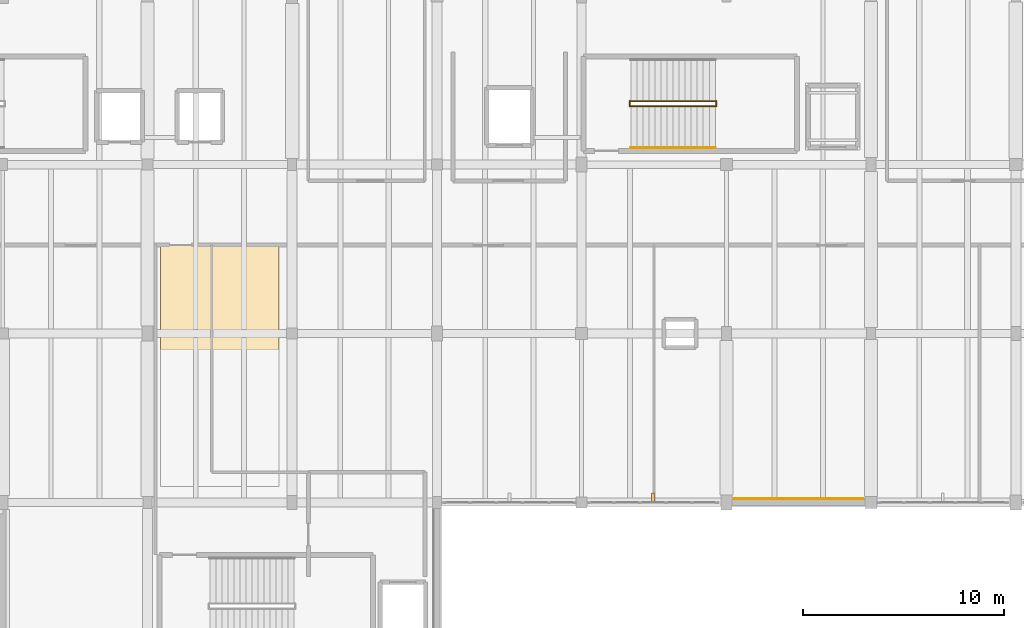
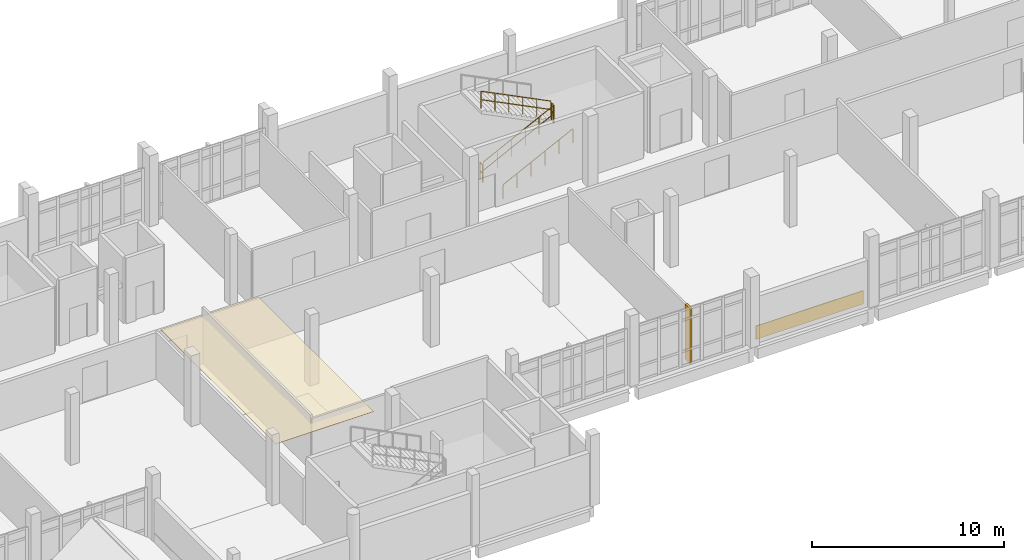
# One storey, part 39 of 41: 5 railings, 2 coverings, 1 shading device.
"""IFC4 building model written with IfcOpenShell, lengths in metres."""

from ifc_helpers import new_model, si_unit, direction, frame, origin, origin_2d, place, context, subcontext, project, spatial, polyline, rectangle, circle, outline, extrude, material, layer, layer_set, type_object, element, save


model = new_model("IFC4")

# Units and contexts
model_context = context("Model", 3, precision=1e-05, world=origin(), true_north=direction((0.0, 1.0)))
body_context = subcontext(model_context, "Body", "Model", "MODEL_VIEW")
ifc_project = project(units=[si_unit("LENGTHUNIT", "METRE"), si_unit("AREAUNIT", "SQUARE_METRE"), si_unit("VOLUMEUNIT", "CUBIC_METRE"), si_unit("PLANEANGLEUNIT", "RADIAN"), si_unit("MASSUNIT", "GRAM", prefix="KILO")], contexts=[model_context])

# Site, building, storey
site_placement = place(None, origin())
site = spatial("IfcSite", under=ifc_project, at=site_placement, CompositionType="ELEMENT")
building_placement = place(site_placement, origin())
building = spatial("IfcBuilding", under=site, at=building_placement, Name="Kalluvel Institute of Natural Sciences", CompositionType="ELEMENT")
storey_placement = place(building_placement, frame((0.0, 0.0, 32.39990234375)))
storey = spatial("IfcBuildingStorey", under=building, at=storey_placement, Name="L07", CompositionType="ELEMENT", Elevation=32.39990234375)

# Coverings
ifc_material_1 = material(Name="Perforated Mineral-Fibre Acoustic Tile", Category="gypsum")
ifc_layer_1 = layer(ifc_material_1, 0.02490234375)
ifc_layer_set_1 = layer_set([ifc_layer_1], Name="Perforated Mineral-Fibre Acoustic Tile")
covering_type_1 = type_object("IfcCoveringType", Name="COV-CEIL-600", PredefinedType="CEILING", material=ifc_layer_set_1)
covering_1_placement = place(storey_placement, frame((0.0, 0.0, 2.9501953125)))
element("IfcCovering", 1, at=covering_1_placement, inside=storey, type_object=covering_type_1, Name="L07 laboratory acoustic ceiling panel 16", PredefinedType="CEILING", context=body_context, shape_type="SweptSolid", body=[
    extrude(outline(polyline([(43.449951171875, 103.60009765625), (49.35009765625, 103.60009765625), (49.35009765625, 115.60009765625), (43.449951171875, 115.60009765625), (43.449951171875, 103.60009765625)])), origin(), (0.0, 0.0, 1.0), 0.02490234375),
])
ifc_material_2 = material(Name="Sadarahalli Grey Granite Ashlar Concrete M40", Category="masonry")
ifc_layer_2 = layer(ifc_material_2, 0.044921875)
ifc_layer_set_2 = layer_set([ifc_layer_2], Name="Sadarahalli Grey Granite Ashlar Concrete M40")
covering_type_2 = type_object("IfcCoveringType", Name="COV-CLAD-STONE", PredefinedType="CLADDING", material=ifc_layer_set_2)
covering_2_placement = place(storey_placement, frame((75.1875, 102.969970703125, 0.025146484375), z_axis=(0.0, 0.0, 1.0), x_axis=(1.0, 0.0, 0.0)))
element("IfcCovering", 2, at=covering_2_placement, inside=storey, type_object=covering_type_2, Name="L07 Sadarahalli granite plinth spandrel cladding 91", PredefinedType="CLADDING", context=body_context, shape_type="SweptSolid", body=[
    extrude(rectangle(XDim=6.465087890625, YDim=0.044921875, at=origin_2d()), origin(), (0.0, 0.0, 1.0), 0.85009765625),
])

# Railings
ifc_material_3 = material(Name="Galvanized Fire-Rated Steel", Category="steel")
railing_type_1 = type_object("IfcRailingType", Name="RL-GD-STAIR", PredefinedType="BALUSTRADE", material=ifc_material_3)
railing_1_placement = place(storey_placement, frame((66.85009765625, 122.510009765625, 0.150146484375)))
element("IfcRailing", 3, at=railing_1_placement, inside=storey, type_object=railing_type_1, Name="L07 ST2 stair guard 1", PredefinedType="BALUSTRADE", context=body_context, shape_type="SweptSolid", body=[
    extrude(circle(Radius=0.02392578125, at=origin_2d()), frame((0.0, 0.0, 1.09619140625), z_axis=(0.894437589381, 0.0, 0.447192798132), x_axis=(0.0, 1.0, 0.0)), (0.0, 0.0, 1.0), 4.695556640625),
    extrude(circle(Radius=0.02392578125, at=origin_2d()), frame((0.0, 0.0, 0.56005859375), z_axis=(0.894437589381, 0.0, 0.447192798132), x_axis=(0.0, 1.0, 0.0)), (0.0, 0.0, 1.0), 4.695556640625),
    extrude(circle(Radius=0.02099609375, at=origin_2d()), origin(), (0.0, 0.0, 1.0), 1.072021484375),
    extrude(circle(Radius=0.02099609375, at=origin_2d()), frame((0.840087890625, 0.0, 0.419921875)), (0.0, 0.0, 1.0), 1.072021484375),
    extrude(circle(Radius=0.02099609375, at=origin_2d()), frame((1.679931640625, 0.0, 0.83984375)), (0.0, 0.0, 1.0), 1.072021484375),
    extrude(circle(Radius=0.02099609375, at=origin_2d()), frame((2.52001953125, 0.0, 1.260009765625)), (0.0, 0.0, 1.0), 1.072021484375),
    extrude(circle(Radius=0.02099609375, at=origin_2d()), frame((3.35986328125, 0.0, 1.679931640625)), (0.0, 0.0, 1.0), 1.072021484375),
    extrude(circle(Radius=0.02099609375, at=origin_2d()), frame((4.199951171875, 0.0, 2.099853515625)), (0.0, 0.0, 1.0), 1.072021484375),
])
railing_2_placement = place(storey_placement, frame((71.10009765625, 122.4951171875, 2.25)))
element("IfcRailing", 4, at=railing_2_placement, inside=storey, type_object=railing_type_1, Name="L07 ST2 stair guard 2", PredefinedType="BALUSTRADE", context=body_context, shape_type="SweptSolid", body=[
    extrude(circle(Radius=0.02392578125, at=origin_2d()), frame((0.0, 0.0, 1.09619140625), z_axis=(0.0, 1.0, 0.0), x_axis=(-1.0, 0.0, 0.0)), (0.0, 0.0, 1.0), 0.27978515625),
    extrude(circle(Radius=0.02392578125, at=origin_2d()), frame((0.0, 0.0, 0.56005859375), z_axis=(0.0, 1.0, 0.0), x_axis=(-1.0, 0.0, 0.0)), (0.0, 0.0, 1.0), 0.27978515625),
    extrude(circle(Radius=0.02099609375, at=origin_2d()), origin(), (0.0, 0.0, 1.0), 1.072021484375),
    extrude(circle(Radius=0.02099609375, at=origin_2d()), frame((0.0, 0.27978515625, 0.0)), (0.0, 0.0, 1.0), 1.072021484375),
])
railing_3_placement = place(storey_placement, frame((71.050048828125, 122.760009765625, 2.400146484375)))
element("IfcRailing", 5, at=railing_3_placement, inside=storey, type_object=railing_type_1, Name="L07 ST2 stair guard 3", PredefinedType="BALUSTRADE", context=body_context, shape_type="SweptSolid", body=[
    extrude(circle(Radius=0.02392578125, at=origin_2d()), frame((0.0, 0.0, 1.09619140625), z_axis=(-0.894437589381, 0.0, 0.447192798132), x_axis=(0.0, -1.0, 0.0)), (0.0, 0.0, 1.0), 4.695556640625),
    extrude(circle(Radius=0.02392578125, at=origin_2d()), frame((0.0, 0.0, 0.56005859375), z_axis=(-0.894437589381, 0.0, 0.447192798132), x_axis=(0.0, -1.0, 0.0)), (0.0, 0.0, 1.0), 4.695556640625),
    extrude(circle(Radius=0.02099609375, at=origin_2d()), origin(), (0.0, 0.0, 1.0), 1.072021484375),
    extrude(circle(Radius=0.02099609375, at=origin_2d()), frame((-0.840087890625, 0.0, 0.419921875)), (0.0, 0.0, 1.0), 1.072021484375),
    extrude(circle(Radius=0.02099609375, at=origin_2d()), frame((-1.679931640625, 0.0, 0.83984375)), (0.0, 0.0, 1.0), 1.072021484375),
    extrude(circle(Radius=0.02099609375, at=origin_2d()), frame((-2.52001953125, 0.0, 1.260009765625)), (0.0, 0.0, 1.0), 1.072021484375),
    extrude(circle(Radius=0.02099609375, at=origin_2d()), frame((-3.35986328125, 0.0, 1.679931640625)), (0.0, 0.0, 1.0), 1.072021484375),
    extrude(circle(Radius=0.02099609375, at=origin_2d()), frame((-4.199951171875, 0.0, 2.099853515625)), (0.0, 0.0, 1.0), 1.072021484375),
])
railing_4_placement = place(storey_placement, frame((66.800048828125, 122.4951171875, 0.0)))
element("IfcRailing", 6, at=railing_4_placement, inside=storey, type_object=railing_type_1, Name="L07 ST2 stair guard 4", PredefinedType="BALUSTRADE", context=body_context, shape_type="SweptSolid", body=[
    extrude(circle(Radius=0.02392578125, at=origin_2d()), frame((0.0, 0.0, 1.09619140625), z_axis=(0.0, 1.0, 0.0), x_axis=(-1.0, 0.0, 0.0)), (0.0, 0.0, 1.0), 0.27978515625),
    extrude(circle(Radius=0.02392578125, at=origin_2d()), frame((0.0, 0.0, 0.56005859375), z_axis=(0.0, 1.0, 0.0), x_axis=(-1.0, 0.0, 0.0)), (0.0, 0.0, 1.0), 0.27978515625),
    extrude(circle(Radius=0.02099609375, at=origin_2d()), origin(), (0.0, 0.0, 1.0), 1.072021484375),
    extrude(circle(Radius=0.02099609375, at=origin_2d()), frame((0.0, 0.27978515625, 0.0)), (0.0, 0.0, 1.0), 1.072021484375),
])
railing_type_2 = type_object("IfcRailingType", Name="RL-HR-STAIR", PredefinedType="HANDRAIL", material=ifc_material_3)
railing_5_placement = place(storey_placement, frame((66.85009765625, 120.449951171875, 0.150146484375)))
element("IfcRailing", 7, at=railing_5_placement, inside=storey, type_object=railing_type_2, Name="L07 ST2 stair handrail 1", PredefinedType="HANDRAIL", context=body_context, shape_type="SweptSolid", body=[
    extrude(circle(Radius=0.02392578125, at=origin_2d()), frame((0.0, 0.0, 0.89599609375), z_axis=(0.894437589381, 0.0, 0.447192798132), x_axis=(0.0, 1.0, 0.0)), (0.0, 0.0, 1.0), 4.695556640625),
    extrude(circle(Radius=0.02099609375, at=origin_2d()), origin(), (0.0, 0.0, 1.0), 0.871826171875),
    extrude(circle(Radius=0.02099609375, at=origin_2d()), frame((0.840087890625, 0.0, 0.419921875)), (0.0, 0.0, 1.0), 0.871826171875),
    extrude(circle(Radius=0.02099609375, at=origin_2d()), frame((1.679931640625, 0.0, 0.83984375)), (0.0, 0.0, 1.0), 0.871826171875),
    extrude(circle(Radius=0.02099609375, at=origin_2d()), frame((2.52001953125, 0.0, 1.260009765625)), (0.0, 0.0, 1.0), 0.871826171875),
    extrude(circle(Radius=0.02099609375, at=origin_2d()), frame((3.35986328125, 0.0, 1.679931640625)), (0.0, 0.0, 1.0), 0.871826171875),
    extrude(circle(Radius=0.02099609375, at=origin_2d()), frame((4.199951171875, 0.0, 2.099853515625)), (0.0, 0.0, 1.0), 0.871826171875),
])

# Shading device
shading_device_type = type_object("IfcShadingDeviceType", Name="SHD-FIN-STONE", PredefinedType="USERDEFINED", material=ifc_material_2)
shading_device_placement = place(storey_placement, frame((67.949951171875, 103.02001953125, 0.0), z_axis=(0.0, 0.0, 1.0), x_axis=(1.0, 0.0, 0.0)))
element("IfcShadingDevice", 8, at=shading_device_placement, inside=storey, type_object=shading_device_type, Name="L07 monsoon lancet shading fin 98", ObjectType="MONSOON FIN", PredefinedType="USERDEFINED", context=body_context, shape_type="SweptSolid", body=[
    extrude(rectangle(XDim=0.139892578125, YDim=0.47998046875, at=origin_2d()), origin(), (0.0, 0.0, 1.0), 3.530029296875),
])

save(model, "model.ifc")
